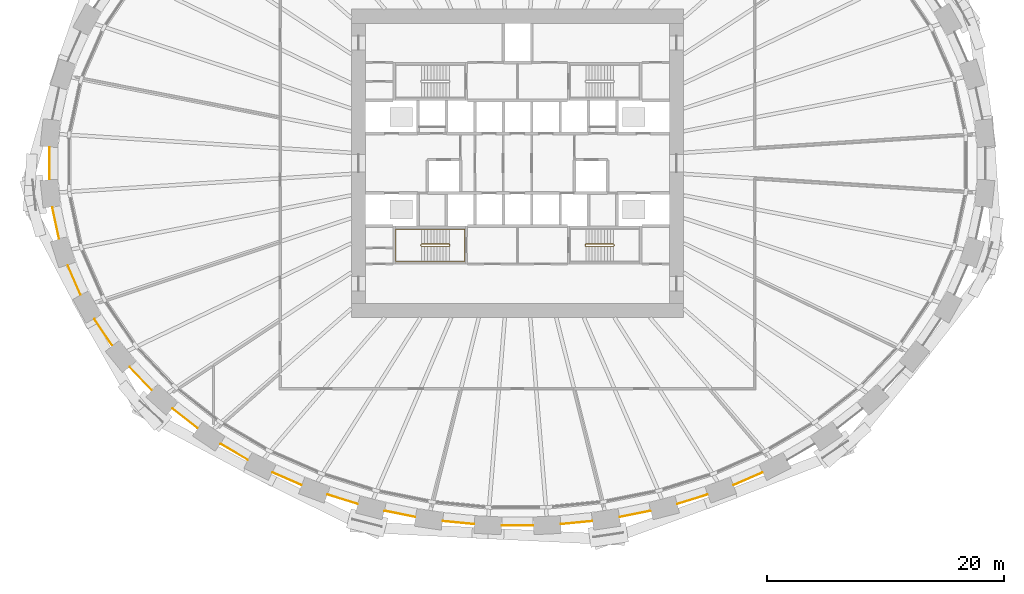
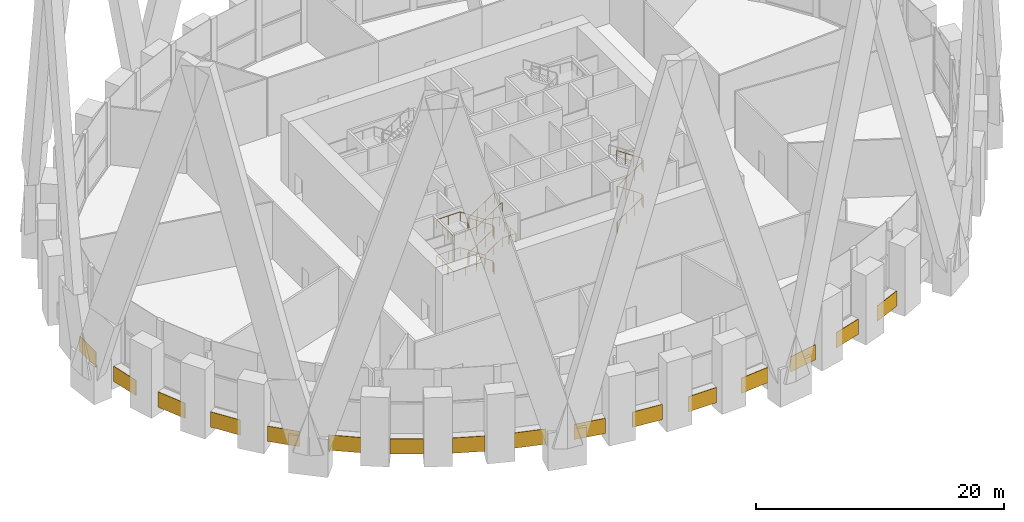
# One storey, part 14 of 17: 16 coverings, 3 railings.
"""IFC4 building model written with IfcOpenShell, lengths in metres."""

from ifc_helpers import new_model, si_unit, direction, frame, origin, origin_2d, place, context, subcontext, project, spatial, rectangle, circle, extrude, source, transform, mapped, material, layer, layer_set, type_object, element, save


model = new_model("IFC4")

# Units and contexts
model_context = context("Model", 3, precision=1e-05, world=origin(), true_north=direction((0.0, 1.0)))
body_context = subcontext(model_context, "Body", "Model", "MODEL_VIEW")
ifc_project = project(units=[si_unit("LENGTHUNIT", "METRE"), si_unit("AREAUNIT", "SQUARE_METRE"), si_unit("VOLUMEUNIT", "CUBIC_METRE"), si_unit("PLANEANGLEUNIT", "RADIAN"), si_unit("MASSUNIT", "GRAM", prefix="KILO")], contexts=[model_context])

# Site, building, storey
site_placement = place(None, origin())
site = spatial("IfcSite", under=ifc_project, at=site_placement, CompositionType="ELEMENT")
building_placement = place(site_placement, origin())
building = spatial("IfcBuilding", under=site, at=building_placement, Name="Embergate Tower", CompositionType="ELEMENT")
storey_placement = place(building_placement, frame((0.0, 0.0, 125.0)))
storey = spatial("IfcBuildingStorey", under=building, at=storey_placement, Name="L27", CompositionType="ELEMENT", Elevation=125.0)

# Coverings
ifc_material_1 = material(Name="Terracotta rainscreen on insulated backing", Category="masonry")
ifc_layer = layer(ifc_material_1, 0.0400390625)
ifc_layer_set = layer_set([ifc_layer], Name="Terracotta rainscreen on insulated backing")
covering_type = type_object("IfcCoveringType", Name="Terracotta rainscreen band", PredefinedType="CLADDING", material=ifc_layer_set)
shared_shape_1 = source(origin(), body_context, "Body", "SweptSolid", [
    extrude(rectangle(XDim=2.6923828125, YDim=0.0400390625, at=origin_2d()), origin(), (0.0, 0.0, 1.0), 1.5),
])
covering_1_placement = place(storey_placement, frame((-38.921142578125, -5.02783203125, -0.75), z_axis=(0.0, 0.0, 1.0), x_axis=(0.21059460699, -0.977573481385, 0.0)))
element("IfcCovering", 1, at=covering_1_placement, inside=storey, type_object=covering_type, Name="Rainscreen band 23", PredefinedType="CLADDING", context=body_context, shape_type="MappedRepresentation", body=[
    mapped(shared_shape_1, transform((0.0, 0.0, 0.0))),
])
shared_shape_2 = source(origin(), body_context, "Body", "SweptSolid", [
    extrude(rectangle(XDim=2.689453125, YDim=0.0400390625, at=origin_2d()), origin(), (0.0, 0.0, 1.0), 1.5),
])
covering_2_placement = place(storey_placement, frame((-37.367919921875, -9.833984375, -0.75), z_axis=(0.0, 0.0, 1.0), x_axis=(0.401580173757, -0.915823871738, 0.0)))
element("IfcCovering", 2, at=covering_2_placement, inside=storey, type_object=covering_type, Name="Rainscreen band 24", PredefinedType="CLADDING", context=body_context, shape_type="MappedRepresentation", body=[
    mapped(shared_shape_2, transform((0.0, 0.0, 0.0))),
])
shared_shape_3 = source(origin(), body_context, "Body", "SweptSolid", [
    extrude(rectangle(XDim=2.678466796875, YDim=0.0400390625, at=origin_2d()), origin(), (0.0, 0.0, 1.0), 1.5),
])
covering_3_placement = place(storey_placement, frame((-34.910888671875, -14.234619140625, -0.75), z_axis=(0.0, 0.0, 1.0), x_axis=(0.562259475515, -0.826960871017, 0.0)))
element("IfcCovering", 3, at=covering_3_placement, inside=storey, type_object=covering_type, Name="Rainscreen band 25", PredefinedType="CLADDING", context=body_context, shape_type="MappedRepresentation", body=[
    mapped(shared_shape_3, transform((0.0, 0.0, 0.0))),
])
shared_shape_4 = source(origin(), body_context, "Body", "SweptSolid", [
    extrude(rectangle(XDim=2.673583984375, YDim=0.0400390625, at=origin_2d()), origin(), (0.0, 0.0, 1.0), 1.5),
])
covering_4_placement = place(storey_placement, frame((-31.751220703125, -18.145751953125, -0.75), z_axis=(0.0, 0.0, 1.0), x_axis=(0.690075681341, -0.723737213374, 0.0)))
element("IfcCovering", 4, at=covering_4_placement, inside=storey, type_object=covering_type, Name="Rainscreen band 26", PredefinedType="CLADDING", context=body_context, shape_type="MappedRepresentation", body=[
    mapped(shared_shape_4, transform((0.0, 0.0, 0.0))),
])
shared_shape_5 = source(origin(), body_context, "Body", "SweptSolid", [
    extrude(rectangle(XDim=2.666015625, YDim=0.0400390625, at=origin_2d()), origin(), (0.0, 0.0, 1.0), 1.5),
])
covering_5_placement = place(storey_placement, frame((-28.020263671875, -21.4990234375, -0.75), z_axis=(0.0, 0.0, 1.0), x_axis=(0.788097782822, -0.615550066778, 0.0)))
element("IfcCovering", 5, at=covering_5_placement, inside=storey, type_object=covering_type, Name="Rainscreen band 27", PredefinedType="CLADDING", context=body_context, shape_type="MappedRepresentation", body=[
    mapped(shared_shape_5, transform((0.0, 0.0, 0.0))),
])
shared_shape_6 = source(origin(), body_context, "Body", "SweptSolid", [
    extrude(rectangle(XDim=2.6611328125, YDim=0.0400390625, at=origin_2d()), origin(), (0.0, 0.0, 1.0), 1.5),
])
covering_6_placement = place(storey_placement, frame((-23.880615234375, -24.314453125, -0.75), z_axis=(0.0, 0.0, 1.0), x_axis=(0.862001858681, -0.506905115017, 0.0)))
element("IfcCovering", 6, at=covering_6_placement, inside=storey, type_object=covering_type, Name="Rainscreen band 28", PredefinedType="CLADDING", context=body_context, shape_type="MappedRepresentation", body=[
    mapped(shared_shape_6, transform((0.0, 0.0, 0.0))),
])
shared_shape_7 = source(origin(), body_context, "Body", "SweptSolid", [
    extrude(rectangle(XDim=2.658203125, YDim=0.0400390625, at=origin_2d()), origin(), (0.0, 0.0, 1.0), 1.5),
])
for number, where, z_axis, x_axis, name in (
    (7, (-19.427001953125, -26.587158203125, -0.75), (0.0, 0.0, 1.0), (0.916399060314, -0.400265864465, 0.0), "Rainscreen band 29"),
    (8, (19.427001953125, -26.587158203125, -0.75), (0.0, 0.0, 1.0), (0.916399060314, 0.400265864465, 0.0), "Rainscreen band 37"),
):
    element("IfcCovering", number, at=place(storey_placement, frame(where, z_axis=z_axis, x_axis=x_axis)), inside=storey, type_object=covering_type, Name=name, PredefinedType="CLADDING", context=body_context, shape_type="MappedRepresentation", body=[
        mapped(shared_shape_7, transform((0.0, 0.0, 0.0))),
    ])
shared_shape_8 = source(origin(), body_context, "Body", "SweptSolid", [
    extrude(rectangle(XDim=2.654296875, YDim=0.0400390625, at=origin_2d()), origin(), (0.0, 0.0, 1.0), 1.5),
])
for number, where, z_axis, x_axis, name in (
    (9, (-14.7421875, -28.313232421875, -0.75), (0.0, 0.0, 1.0), (0.954680836388, -0.297631484614, 0.0), "Rainscreen band 30"),
    (10, (14.7421875, -28.313232421875, -0.75), (0.0, 0.0, 1.0), (0.954680836388, 0.297631484614, 0.0), "Rainscreen band 36"),
):
    element("IfcCovering", number, at=place(storey_placement, frame(where, z_axis=z_axis, x_axis=x_axis)), inside=storey, type_object=covering_type, Name=name, PredefinedType="CLADDING", context=body_context, shape_type="MappedRepresentation", body=[
        mapped(shared_shape_8, transform((0.0, 0.0, 0.0))),
    ])
shared_shape_9 = source(origin(), body_context, "Body", "SweptSolid", [
    extrude(rectangle(XDim=2.65185546875, YDim=0.0400390625, at=origin_2d()), origin(), (0.0, 0.0, 1.0), 1.5),
])
for number, where, z_axis, x_axis, name in (
    (11, (-9.90869140625, -29.546875, -0.75), (0.0, 0.0, 1.0), (0.980435388988, -0.196841174605, 0.0), "Rainscreen band 31"),
    (12, (9.90869140625, -29.546875, -0.75), (0.0, 0.0, 1.0), (0.980435388988, 0.196841174605, 0.0), "Rainscreen band 35"),
):
    element("IfcCovering", number, at=place(storey_placement, frame(where, z_axis=z_axis, x_axis=x_axis)), inside=storey, type_object=covering_type, Name=name, PredefinedType="CLADDING", context=body_context, shape_type="MappedRepresentation", body=[
        mapped(shared_shape_9, transform((0.0, 0.0, 0.0))),
    ])
shared_shape_10 = source(origin(), body_context, "Body", "SweptSolid", [
    extrude(rectangle(XDim=2.651611328125, YDim=0.0400390625, at=origin_2d()), origin(), (0.0, 0.0, 1.0), 1.5),
])
for number, where, z_axis, x_axis, name in (
    (13, (-4.9775390625, -30.28173828125, -0.75), (0.0, 0.0, 1.0), (0.99521853954, -0.097673223331, 0.0), "Rainscreen band 32"),
    (14, (4.9775390625, -30.28173828125, -0.75), (0.0, 0.0, 1.0), (0.99521853954, 0.097673223331, 0.0), "Rainscreen band 34"),
):
    element("IfcCovering", number, at=place(storey_placement, frame(where, z_axis=z_axis, x_axis=x_axis)), inside=storey, type_object=covering_type, Name=name, PredefinedType="CLADDING", context=body_context, shape_type="MappedRepresentation", body=[
        mapped(shared_shape_10, transform((0.0, 0.0, 0.0))),
    ])
shared_shape_11 = source(origin(), body_context, "Body", "SweptSolid", [
    extrude(rectangle(XDim=2.64990234375, YDim=0.0400390625, at=origin_2d()), origin(), (0.0, 0.0, 1.0), 1.5),
])
covering_7_placement = place(storey_placement, frame((0.0, -30.52587890625, -0.75), z_axis=(0.0, 0.0, 1.0), x_axis=(1.0, 0.0, 0.0)))
element("IfcCovering", 15, at=covering_7_placement, inside=storey, type_object=covering_type, Name="Rainscreen band 33", PredefinedType="CLADDING", context=body_context, shape_type="MappedRepresentation", body=[
    mapped(shared_shape_11, transform((0.0, 0.0, 0.0))),
])
shared_shape_12 = source(origin(), body_context, "Body", "SweptSolid", [
    extrude(rectangle(XDim=2.694091796875, YDim=0.0400390625, at=origin_2d()), origin(), (0.0, 0.0, 1.0), 1.5),
])
covering_8_placement = place(storey_placement, frame((-39.4560546875, 0.0, -0.75), z_axis=(0.0, 0.0, 1.0), x_axis=(0.0, -1.0, 0.0)))
element("IfcCovering", 16, at=covering_8_placement, inside=storey, type_object=covering_type, Name="Rainscreen band 22", PredefinedType="CLADDING", context=body_context, shape_type="MappedRepresentation", body=[
    mapped(shared_shape_12, transform((0.0, 0.0, 0.0))),
])

# Railings
ifc_material_2 = material(Name="Stair guard 1100")
railing_type_1 = type_object("IfcRailingType", Name="Stair guard 1100", PredefinedType="GUARDRAIL", material=ifc_material_2)
shared_shape_13 = source(origin(), body_context, "Body", "SweptSolid", [
    extrude(circle(Radius=0.02392578125, at=origin_2d()), frame((0.0, 0.0, 1.076171875), z_axis=(0.0, 1.0, 0.0), x_axis=(-1.0, 0.0, 0.0)), (0.0, 0.0, 1.0), 0.099853515625),
    extrude(circle(Radius=0.02392578125, at=origin_2d()), frame((0.0, 0.099853515625, 1.076171875), z_axis=(-0.265065253269, 0.265065253269, 0.927081885822), x_axis=(-0.707106781187, -0.707106781187, 0.0)), (0.0, 0.0, 1.0), 0.188720703125),
    extrude(circle(Radius=0.02392578125, at=origin_2d()), frame((-0.050048828125, 0.14990234375, 1.2509765625), z_axis=(-0.829605480656, 0.0, 0.558350021462), x_axis=(0.0, -1.0, 0.0)), (0.0, 0.0, 1.0), 2.82080078125),
    extrude(circle(Radius=0.02392578125, at=origin_2d()), frame((-2.39013671875, 0.14990234375, 2.826171875), z_axis=(-0.705375805398, -0.708833529934, 0.0), x_axis=(0.708833529934, -0.705375805398, 0.0)), (0.0, 0.0, 1.0), 0.070556640625),
    extrude(circle(Radius=0.02392578125, at=origin_2d()), frame((-2.43994140625, 0.099853515625, 2.826171875), z_axis=(0.0, -1.0, 0.0), x_axis=(1.0, 0.0, 0.0)), (0.0, 0.0, 1.0), 0.099853515625),
    extrude(circle(Radius=0.02392578125, at=origin_2d()), frame((-2.43994140625, 0.0, 2.826171875), z_axis=(0.263862480399, -0.265155923931, 0.927399011991), x_axis=(0.708833529934, 0.705375805398, 0.0)), (0.0, 0.0, 1.0), 0.188720703125),
    extrude(circle(Radius=0.02392578125, at=origin_2d()), frame((-2.39013671875, -0.050048828125, 3.0009765625), z_axis=(0.829605480656, 0.0, 0.558350021462), x_axis=(0.0, 1.0, 0.0)), (0.0, 0.0, 1.0), 2.82080078125),
    extrude(circle(Radius=0.02392578125, at=origin_2d()), frame((-0.050048828125, -0.050048828125, 4.576171875), z_axis=(0.707106781187, 0.707106781187, 0.0), x_axis=(-0.707106781187, 0.707106781187, 0.0)), (0.0, 0.0, 1.0), 0.07080078125),
    extrude(circle(Radius=0.02392578125, at=origin_2d()), frame((0.0, 0.0, 4.576171875), z_axis=(0.0, 1.0, 0.0), x_axis=(-1.0, 0.0, 0.0)), (0.0, 0.0, 1.0), 0.099853515625),
    extrude(circle(Radius=0.02392578125, at=origin_2d()), frame((0.0, 0.099853515625, 4.576171875), z_axis=(-0.265065253269, 0.265065253269, 0.927081885822), x_axis=(-0.707106781187, -0.707106781187, 0.0)), (0.0, 0.0, 1.0), 0.188720703125),
    extrude(circle(Radius=0.02392578125, at=origin_2d()), frame((-0.050048828125, 0.14990234375, 4.7509765625), z_axis=(-0.829605480656, 0.0, 0.558350021462), x_axis=(0.0, -1.0, 0.0)), (0.0, 0.0, 1.0), 2.82080078125),
    extrude(circle(Radius=0.02392578125, at=origin_2d()), frame((-2.39013671875, 0.14990234375, 6.326171875), z_axis=(-0.705375805398, -0.708833529934, 0.0), x_axis=(0.708833529934, -0.705375805398, 0.0)), (0.0, 0.0, 1.0), 0.070556640625),
    extrude(circle(Radius=0.02392578125, at=origin_2d()), frame((-2.43994140625, 0.099853515625, 6.326171875), z_axis=(0.0, -1.0, 0.0), x_axis=(1.0, 0.0, 0.0)), (0.0, 0.0, 1.0), 0.099853515625),
    extrude(circle(Radius=0.02392578125, at=origin_2d()), frame((-2.43994140625, 0.0, 6.326171875), z_axis=(0.263862480399, -0.265155923931, 0.927399011991), x_axis=(0.708833529934, 0.705375805398, 0.0)), (0.0, 0.0, 1.0), 0.188720703125),
    extrude(circle(Radius=0.02392578125, at=origin_2d()), frame((-2.39013671875, -0.050048828125, 6.5009765625), z_axis=(0.829605480656, 0.0, 0.558350021462), x_axis=(0.0, 1.0, 0.0)), (0.0, 0.0, 1.0), 2.82080078125),
    extrude(circle(Radius=0.02099609375, at=origin_2d()), origin(), (0.0, 0.0, 1.0), 1.052001953125),
    extrude(circle(Radius=0.02099609375, at=origin_2d()), frame((0.0, 0.099853515625, 0.0)), (0.0, 0.0, 1.0), 1.052001953125),
    extrude(circle(Radius=0.02099609375, at=origin_2d()), frame((-0.050048828125, 0.14990234375, 0.175048828125)), (0.0, 0.0, 1.0), 1.052001953125),
    extrude(circle(Radius=0.02099609375, at=origin_2d()), frame((-0.830078125, 0.14990234375, 0.699951171875)), (0.0, 0.0, 1.0), 1.052001953125),
    extrude(circle(Radius=0.02099609375, at=origin_2d()), frame((-1.610107421875, 0.14990234375, 1.22509765625)), (0.0, 0.0, 1.0), 1.052001953125),
    extrude(circle(Radius=0.02099609375, at=origin_2d()), frame((-2.39013671875, 0.14990234375, 1.75)), (0.0, 0.0, 1.0), 1.052001953125),
    extrude(circle(Radius=0.02099609375, at=origin_2d()), frame((-2.43994140625, 0.099853515625, 1.75)), (0.0, 0.0, 1.0), 1.052001953125),
    extrude(circle(Radius=0.02099609375, at=origin_2d()), frame((-2.43994140625, 0.0, 1.75)), (0.0, 0.0, 1.0), 1.052001953125),
    extrude(circle(Radius=0.02099609375, at=origin_2d()), frame((-2.39013671875, -0.050048828125, 1.925048828125)), (0.0, 0.0, 1.0), 1.052001953125),
    extrude(circle(Radius=0.02099609375, at=origin_2d()), frame((-1.610107421875, -0.050048828125, 2.449951171875)), (0.0, 0.0, 1.0), 1.052001953125),
    extrude(circle(Radius=0.02099609375, at=origin_2d()), frame((-0.830078125, -0.050048828125, 2.97509765625)), (0.0, 0.0, 1.0), 1.052001953125),
    extrude(circle(Radius=0.02099609375, at=origin_2d()), frame((-0.050048828125, -0.050048828125, 3.5)), (0.0, 0.0, 1.0), 1.052001953125),
    extrude(circle(Radius=0.02099609375, at=origin_2d()), frame((0.0, 0.0, 3.5)), (0.0, 0.0, 1.0), 1.052001953125),
    extrude(circle(Radius=0.02099609375, at=origin_2d()), frame((0.0, 0.099853515625, 3.5)), (0.0, 0.0, 1.0), 1.052001953125),
    extrude(circle(Radius=0.02099609375, at=origin_2d()), frame((-0.050048828125, 0.14990234375, 3.675048828125)), (0.0, 0.0, 1.0), 1.052001953125),
    extrude(circle(Radius=0.02099609375, at=origin_2d()), frame((-0.830078125, 0.14990234375, 4.199951171875)), (0.0, 0.0, 1.0), 1.052001953125),
    extrude(circle(Radius=0.02099609375, at=origin_2d()), frame((-1.610107421875, 0.14990234375, 4.72509765625)), (0.0, 0.0, 1.0), 1.052001953125),
    extrude(circle(Radius=0.02099609375, at=origin_2d()), frame((-2.39013671875, 0.14990234375, 5.25)), (0.0, 0.0, 1.0), 1.052001953125),
    extrude(circle(Radius=0.02099609375, at=origin_2d()), frame((-2.43994140625, 0.099853515625, 5.25)), (0.0, 0.0, 1.0), 1.052001953125),
    extrude(circle(Radius=0.02099609375, at=origin_2d()), frame((-2.43994140625, 0.0, 5.25)), (0.0, 0.0, 1.0), 1.052001953125),
    extrude(circle(Radius=0.02099609375, at=origin_2d()), frame((-2.39013671875, -0.050048828125, 5.425048828125)), (0.0, 0.0, 1.0), 1.052001953125),
    extrude(circle(Radius=0.02099609375, at=origin_2d()), frame((-1.610107421875, -0.050048828125, 5.949951171875)), (0.0, 0.0, 1.0), 1.052001953125),
    extrude(circle(Radius=0.02099609375, at=origin_2d()), frame((-0.830078125, -0.050048828125, 6.47509765625)), (0.0, 0.0, 1.0), 1.052001953125),
    extrude(circle(Radius=0.02099609375, at=origin_2d()), frame((-0.050048828125, -0.050048828125, 7.0)), (0.0, 0.0, 1.0), 1.052001953125),
])
railing_1_placement = place(storey_placement, frame((-5.699951171875, -6.949951171875, 0.0)))
element("IfcRailing", 17, at=railing_1_placement, inside=storey, type_object=railing_type_1, Name="L27 ST3 stair guard 1", PredefinedType="GUARDRAIL", context=body_context, shape_type="MappedRepresentation", body=[
    mapped(shared_shape_13, transform((0.0, 0.0, 0.0))),
])
ifc_material_3 = material(Name="Stair handrail 900")
railing_type_2 = type_object("IfcRailingType", Name="Stair handrail 900", PredefinedType="HANDRAIL", material=ifc_material_3)
shared_shape_14 = source(origin(), body_context, "Body", "SweptSolid", [
    extrude(circle(Radius=0.02392578125, at=origin_2d()), frame((0.0, 0.0, 0.8759765625), z_axis=(-0.829605480656, 0.0, 0.558350021462), x_axis=(0.0, -1.0, 0.0)), (0.0, 0.0, 1.0), 2.82080078125),
    extrude(circle(Radius=0.02392578125, at=origin_2d()), frame((-2.340087890625, 0.0, 2.45068359375), z_axis=(-1.0, 0.0, 0.0), x_axis=(0.0, -1.0, 0.0)), (0.0, 0.0, 1.0), 2.159912109375),
    extrude(circle(Radius=0.02392578125, at=origin_2d()), frame((-4.5, 0.0, 2.45068359375), z_axis=(0.0, -1.0, 0.0), x_axis=(1.0, 0.0, 0.0)), (0.0, 0.0, 1.0), 2.699951171875),
    extrude(circle(Radius=0.02392578125, at=origin_2d()), frame((-4.5, -2.699951171875, 2.45068359375), z_axis=(0.996731990761, 0.0, 0.080779567919), x_axis=(0.0, 1.0, 0.0)), (0.0, 0.0, 1.0), 2.1669921875),
    extrude(circle(Radius=0.02392578125, at=origin_2d()), frame((-2.340087890625, -2.699951171875, 2.6259765625), z_axis=(0.829605480656, 0.0, 0.558350021462), x_axis=(0.0, 1.0, 0.0)), (0.0, 0.0, 1.0), 2.82080078125),
    extrude(circle(Radius=0.02392578125, at=origin_2d()), frame((0.0, -2.699951171875, 4.20068359375), z_axis=(1.0, 0.0, 0.0), x_axis=(0.0, 1.0, 0.0)), (0.0, 0.0, 1.0), 1.300048828125),
    extrude(circle(Radius=0.02392578125, at=origin_2d()), frame((1.300048828125, -2.699951171875, 4.20068359375), z_axis=(0.0, 1.0, 0.0), x_axis=(-1.0, 0.0, 0.0)), (0.0, 0.0, 1.0), 2.699951171875),
    extrude(circle(Radius=0.02392578125, at=origin_2d()), frame((1.300048828125, 0.0, 4.20068359375), z_axis=(-0.991056402064, 0.0, 0.133443650757), x_axis=(0.0, -1.0, 0.0)), (0.0, 0.0, 1.0), 1.311767578125),
    extrude(circle(Radius=0.02392578125, at=origin_2d()), frame((0.0, 0.0, 4.3759765625), z_axis=(-0.829605480656, 0.0, 0.558350021462), x_axis=(0.0, -1.0, 0.0)), (0.0, 0.0, 1.0), 2.82080078125),
    extrude(circle(Radius=0.02392578125, at=origin_2d()), frame((-2.340087890625, 0.0, 5.95068359375), z_axis=(-1.0, 0.0, 0.0), x_axis=(0.0, -1.0, 0.0)), (0.0, 0.0, 1.0), 2.159912109375),
    extrude(circle(Radius=0.02392578125, at=origin_2d()), frame((-4.5, 0.0, 5.95068359375), z_axis=(0.0, -1.0, 0.0), x_axis=(1.0, 0.0, 0.0)), (0.0, 0.0, 1.0), 2.699951171875),
    extrude(circle(Radius=0.02392578125, at=origin_2d()), frame((-4.5, -2.699951171875, 5.95068359375), z_axis=(0.996731990761, 0.0, 0.080779567919), x_axis=(0.0, 1.0, 0.0)), (0.0, 0.0, 1.0), 2.1669921875),
    extrude(circle(Radius=0.02392578125, at=origin_2d()), frame((-2.340087890625, -2.699951171875, 6.1259765625), z_axis=(0.829605480656, 0.0, 0.558350021462), x_axis=(0.0, 1.0, 0.0)), (0.0, 0.0, 1.0), 2.82080078125),
    extrude(circle(Radius=0.02099609375, at=origin_2d()), origin(), (0.0, 0.0, 1.0), 0.851806640625),
    extrude(circle(Radius=0.02099609375, at=origin_2d()), frame((-0.780029296875, 0.0, 0.52490234375)), (0.0, 0.0, 1.0), 0.851806640625),
    extrude(circle(Radius=0.02099609375, at=origin_2d()), frame((-1.56005859375, 0.0, 1.050048828125)), (0.0, 0.0, 1.0), 0.851806640625),
    extrude(circle(Radius=0.02099609375, at=origin_2d()), frame((-2.340087890625, 0.0, 1.574951171875)), (0.0, 0.0, 1.0), 0.851806640625),
    extrude(circle(Radius=0.02099609375, at=origin_2d()), frame((-3.419921875, 0.0, 1.574951171875)), (0.0, 0.0, 1.0), 0.851806640625),
    extrude(circle(Radius=0.02099609375, at=origin_2d()), frame((-4.5, 0.0, 1.574951171875)), (0.0, 0.0, 1.0), 0.851806640625),
    extrude(circle(Radius=0.02099609375, at=origin_2d()), frame((-4.5, -0.89990234375, 1.574951171875)), (0.0, 0.0, 1.0), 0.851806640625),
    extrude(circle(Radius=0.02099609375, at=origin_2d()), frame((-4.5, -1.800048828125, 1.574951171875)), (0.0, 0.0, 1.0), 0.851806640625),
    extrude(circle(Radius=0.02099609375, at=origin_2d()), frame((-4.5, -2.699951171875, 1.574951171875)), (0.0, 0.0, 1.0), 0.851806640625),
    extrude(circle(Radius=0.02099609375, at=origin_2d()), frame((-3.419921875, -2.699951171875, 1.66259765625)), (0.0, 0.0, 1.0), 0.851806640625),
    extrude(circle(Radius=0.02099609375, at=origin_2d()), frame((-2.340087890625, -2.699951171875, 1.75)), (0.0, 0.0, 1.0), 0.851806640625),
    extrude(circle(Radius=0.02099609375, at=origin_2d()), frame((-1.56005859375, -2.699951171875, 2.27490234375)), (0.0, 0.0, 1.0), 0.851806640625),
    extrude(circle(Radius=0.02099609375, at=origin_2d()), frame((-0.780029296875, -2.699951171875, 2.800048828125)), (0.0, 0.0, 1.0), 0.851806640625),
    extrude(circle(Radius=0.02099609375, at=origin_2d()), frame((0.0, -2.699951171875, 3.324951171875)), (0.0, 0.0, 1.0), 0.851806640625),
    extrude(circle(Radius=0.02099609375, at=origin_2d()), frame((0.64990234375, -2.699951171875, 3.324951171875)), (0.0, 0.0, 1.0), 0.851806640625),
    extrude(circle(Radius=0.02099609375, at=origin_2d()), frame((1.300048828125, -2.699951171875, 3.324951171875)), (0.0, 0.0, 1.0), 0.851806640625),
    extrude(circle(Radius=0.02099609375, at=origin_2d()), frame((1.300048828125, -1.800048828125, 3.324951171875)), (0.0, 0.0, 1.0), 0.851806640625),
    extrude(circle(Radius=0.02099609375, at=origin_2d()), frame((1.300048828125, -0.89990234375, 3.324951171875)), (0.0, 0.0, 1.0), 0.851806640625),
    extrude(circle(Radius=0.02099609375, at=origin_2d()), frame((1.300048828125, 0.0, 3.324951171875)), (0.0, 0.0, 1.0), 0.851806640625),
    extrude(circle(Radius=0.02099609375, at=origin_2d()), frame((0.64990234375, 0.0, 3.41259765625)), (0.0, 0.0, 1.0), 0.851806640625),
    extrude(circle(Radius=0.02099609375, at=origin_2d()), frame((0.0, 0.0, 3.5)), (0.0, 0.0, 1.0), 0.851806640625),
    extrude(circle(Radius=0.02099609375, at=origin_2d()), frame((-0.780029296875, 0.0, 4.02490234375)), (0.0, 0.0, 1.0), 0.851806640625),
    extrude(circle(Radius=0.02099609375, at=origin_2d()), frame((-1.56005859375, 0.0, 4.550048828125)), (0.0, 0.0, 1.0), 0.851806640625),
    extrude(circle(Radius=0.02099609375, at=origin_2d()), frame((-2.340087890625, 0.0, 5.074951171875)), (0.0, 0.0, 1.0), 0.851806640625),
    extrude(circle(Radius=0.02099609375, at=origin_2d()), frame((-3.419921875, 0.0, 5.074951171875)), (0.0, 0.0, 1.0), 0.851806640625),
    extrude(circle(Radius=0.02099609375, at=origin_2d()), frame((-4.5, 0.0, 5.074951171875)), (0.0, 0.0, 1.0), 0.851806640625),
    extrude(circle(Radius=0.02099609375, at=origin_2d()), frame((-4.5, -0.89990234375, 5.074951171875)), (0.0, 0.0, 1.0), 0.851806640625),
    extrude(circle(Radius=0.02099609375, at=origin_2d()), frame((-4.5, -1.800048828125, 5.074951171875)), (0.0, 0.0, 1.0), 0.851806640625),
    extrude(circle(Radius=0.02099609375, at=origin_2d()), frame((-4.5, -2.699951171875, 5.074951171875)), (0.0, 0.0, 1.0), 0.851806640625),
    extrude(circle(Radius=0.02099609375, at=origin_2d()), frame((-3.419921875, -2.699951171875, 5.16259765625)), (0.0, 0.0, 1.0), 0.851806640625),
    extrude(circle(Radius=0.02099609375, at=origin_2d()), frame((-2.340087890625, -2.699951171875, 5.25)), (0.0, 0.0, 1.0), 0.851806640625),
    extrude(circle(Radius=0.02099609375, at=origin_2d()), frame((-1.56005859375, -2.699951171875, 5.77490234375)), (0.0, 0.0, 1.0), 0.851806640625),
    extrude(circle(Radius=0.02099609375, at=origin_2d()), frame((-0.780029296875, -2.699951171875, 6.300048828125)), (0.0, 0.0, 1.0), 0.851806640625),
    extrude(circle(Radius=0.02099609375, at=origin_2d()), frame((0.0, -2.699951171875, 6.824951171875)), (0.0, 0.0, 1.0), 0.851806640625),
])
railing_2_placement = place(storey_placement, frame((-5.75, -5.550048828125, 0.175048828125)))
element("IfcRailing", 18, at=railing_2_placement, inside=storey, type_object=railing_type_2, Name="L27 ST3 stair handrail 1", PredefinedType="HANDRAIL", context=body_context, shape_type="MappedRepresentation", body=[
    mapped(shared_shape_14, transform((0.0, 0.0, 0.0))),
])
shared_shape_15 = source(origin(), body_context, "Body", "SweptSolid", [
    extrude(circle(Radius=0.02392578125, at=origin_2d()), frame((0.0, 0.0, 1.076171875), z_axis=(0.0, -1.0, 0.0), x_axis=(1.0, 0.0, 0.0)), (0.0, 0.0, 1.0), 0.099853515625),
    extrude(circle(Radius=0.02392578125, at=origin_2d()), frame((0.0, -0.099853515625, 1.076171875), z_axis=(0.265065253269, -0.265065253269, 0.927081885822), x_axis=(0.707106781187, 0.707106781187, 0.0)), (0.0, 0.0, 1.0), 0.188720703125),
    extrude(circle(Radius=0.02392578125, at=origin_2d()), frame((0.050048828125, -0.14990234375, 1.2509765625), z_axis=(0.829605480656, 0.0, 0.558350021462), x_axis=(0.0, 1.0, 0.0)), (0.0, 0.0, 1.0), 2.82080078125),
    extrude(circle(Radius=0.02392578125, at=origin_2d()), frame((2.39013671875, -0.14990234375, 2.826171875), z_axis=(0.705375805398, 0.708833529934, 0.0), x_axis=(-0.708833529934, 0.705375805398, 0.0)), (0.0, 0.0, 1.0), 0.070556640625),
    extrude(circle(Radius=0.02392578125, at=origin_2d()), frame((2.43994140625, -0.099853515625, 2.826171875), z_axis=(0.0, 1.0, 0.0), x_axis=(-1.0, 0.0, 0.0)), (0.0, 0.0, 1.0), 0.099853515625),
    extrude(circle(Radius=0.02392578125, at=origin_2d()), frame((2.43994140625, 0.0, 2.826171875), z_axis=(-0.263862480399, 0.265155923931, 0.927399011991), x_axis=(-0.708833529934, -0.705375805398, 0.0)), (0.0, 0.0, 1.0), 0.188720703125),
    extrude(circle(Radius=0.02392578125, at=origin_2d()), frame((2.39013671875, 0.050048828125, 3.0009765625), z_axis=(-0.829605480656, 0.0, 0.558350021462), x_axis=(0.0, -1.0, 0.0)), (0.0, 0.0, 1.0), 2.82080078125),
    extrude(circle(Radius=0.02392578125, at=origin_2d()), frame((0.050048828125, 0.050048828125, 4.576171875), z_axis=(-0.707106781187, -0.707106781187, 0.0), x_axis=(0.707106781187, -0.707106781187, 0.0)), (0.0, 0.0, 1.0), 0.07080078125),
    extrude(circle(Radius=0.02392578125, at=origin_2d()), frame((0.0, 0.0, 4.576171875), z_axis=(0.0, -1.0, 0.0), x_axis=(1.0, 0.0, 0.0)), (0.0, 0.0, 1.0), 0.099853515625),
    extrude(circle(Radius=0.02392578125, at=origin_2d()), frame((0.0, -0.099853515625, 4.576171875), z_axis=(0.265065253269, -0.265065253269, 0.927081885822), x_axis=(0.707106781187, 0.707106781187, 0.0)), (0.0, 0.0, 1.0), 0.188720703125),
    extrude(circle(Radius=0.02392578125, at=origin_2d()), frame((0.050048828125, -0.14990234375, 4.7509765625), z_axis=(0.829605480656, 0.0, 0.558350021462), x_axis=(0.0, 1.0, 0.0)), (0.0, 0.0, 1.0), 2.82080078125),
    extrude(circle(Radius=0.02392578125, at=origin_2d()), frame((2.39013671875, -0.14990234375, 6.326171875), z_axis=(0.705375805398, 0.708833529934, 0.0), x_axis=(-0.708833529934, 0.705375805398, 0.0)), (0.0, 0.0, 1.0), 0.070556640625),
    extrude(circle(Radius=0.02392578125, at=origin_2d()), frame((2.43994140625, -0.099853515625, 6.326171875), z_axis=(0.0, 1.0, 0.0), x_axis=(-1.0, 0.0, 0.0)), (0.0, 0.0, 1.0), 0.099853515625),
    extrude(circle(Radius=0.02392578125, at=origin_2d()), frame((2.43994140625, 0.0, 6.326171875), z_axis=(-0.263862480399, 0.265155923931, 0.927399011991), x_axis=(-0.708833529934, -0.705375805398, 0.0)), (0.0, 0.0, 1.0), 0.188720703125),
    extrude(circle(Radius=0.02392578125, at=origin_2d()), frame((2.39013671875, 0.050048828125, 6.5009765625), z_axis=(-0.829605480656, 0.0, 0.558350021462), x_axis=(0.0, -1.0, 0.0)), (0.0, 0.0, 1.0), 2.82080078125),
    extrude(circle(Radius=0.02099609375, at=origin_2d()), origin(), (0.0, 0.0, 1.0), 1.052001953125),
    extrude(circle(Radius=0.02099609375, at=origin_2d()), frame((0.0, -0.099853515625, 0.0)), (0.0, 0.0, 1.0), 1.052001953125),
    extrude(circle(Radius=0.02099609375, at=origin_2d()), frame((0.050048828125, -0.14990234375, 0.175048828125)), (0.0, 0.0, 1.0), 1.052001953125),
    extrude(circle(Radius=0.02099609375, at=origin_2d()), frame((0.830078125, -0.14990234375, 0.699951171875)), (0.0, 0.0, 1.0), 1.052001953125),
    extrude(circle(Radius=0.02099609375, at=origin_2d()), frame((1.610107421875, -0.14990234375, 1.22509765625)), (0.0, 0.0, 1.0), 1.052001953125),
    extrude(circle(Radius=0.02099609375, at=origin_2d()), frame((2.39013671875, -0.14990234375, 1.75)), (0.0, 0.0, 1.0), 1.052001953125),
    extrude(circle(Radius=0.02099609375, at=origin_2d()), frame((2.43994140625, -0.099853515625, 1.75)), (0.0, 0.0, 1.0), 1.052001953125),
    extrude(circle(Radius=0.02099609375, at=origin_2d()), frame((2.43994140625, 0.0, 1.75)), (0.0, 0.0, 1.0), 1.052001953125),
    extrude(circle(Radius=0.02099609375, at=origin_2d()), frame((2.39013671875, 0.050048828125, 1.925048828125)), (0.0, 0.0, 1.0), 1.052001953125),
    extrude(circle(Radius=0.02099609375, at=origin_2d()), frame((1.610107421875, 0.050048828125, 2.449951171875)), (0.0, 0.0, 1.0), 1.052001953125),
    extrude(circle(Radius=0.02099609375, at=origin_2d()), frame((0.830078125, 0.050048828125, 2.97509765625)), (0.0, 0.0, 1.0), 1.052001953125),
    extrude(circle(Radius=0.02099609375, at=origin_2d()), frame((0.050048828125, 0.050048828125, 3.5)), (0.0, 0.0, 1.0), 1.052001953125),
    extrude(circle(Radius=0.02099609375, at=origin_2d()), frame((0.0, 0.0, 3.5)), (0.0, 0.0, 1.0), 1.052001953125),
    extrude(circle(Radius=0.02099609375, at=origin_2d()), frame((0.0, -0.099853515625, 3.5)), (0.0, 0.0, 1.0), 1.052001953125),
    extrude(circle(Radius=0.02099609375, at=origin_2d()), frame((0.050048828125, -0.14990234375, 3.675048828125)), (0.0, 0.0, 1.0), 1.052001953125),
    extrude(circle(Radius=0.02099609375, at=origin_2d()), frame((0.830078125, -0.14990234375, 4.199951171875)), (0.0, 0.0, 1.0), 1.052001953125),
    extrude(circle(Radius=0.02099609375, at=origin_2d()), frame((1.610107421875, -0.14990234375, 4.72509765625)), (0.0, 0.0, 1.0), 1.052001953125),
    extrude(circle(Radius=0.02099609375, at=origin_2d()), frame((2.39013671875, -0.14990234375, 5.25)), (0.0, 0.0, 1.0), 1.052001953125),
    extrude(circle(Radius=0.02099609375, at=origin_2d()), frame((2.43994140625, -0.099853515625, 5.25)), (0.0, 0.0, 1.0), 1.052001953125),
    extrude(circle(Radius=0.02099609375, at=origin_2d()), frame((2.43994140625, 0.0, 5.25)), (0.0, 0.0, 1.0), 1.052001953125),
    extrude(circle(Radius=0.02099609375, at=origin_2d()), frame((2.39013671875, 0.050048828125, 5.425048828125)), (0.0, 0.0, 1.0), 1.052001953125),
    extrude(circle(Radius=0.02099609375, at=origin_2d()), frame((1.610107421875, 0.050048828125, 5.949951171875)), (0.0, 0.0, 1.0), 1.052001953125),
    extrude(circle(Radius=0.02099609375, at=origin_2d()), frame((0.830078125, 0.050048828125, 6.47509765625)), (0.0, 0.0, 1.0), 1.052001953125),
    extrude(circle(Radius=0.02099609375, at=origin_2d()), frame((0.050048828125, 0.050048828125, 7.0)), (0.0, 0.0, 1.0), 1.052001953125),
])
railing_3_placement = place(storey_placement, frame((5.699951171875, -6.85009765625, 0.0)))
element("IfcRailing", 19, at=railing_3_placement, inside=storey, type_object=railing_type_1, Name="L27 ST4 stair guard 1", PredefinedType="GUARDRAIL", context=body_context, shape_type="MappedRepresentation", body=[
    mapped(shared_shape_15, transform((0.0, 0.0, 0.0))),
])

save(model, "model.ifc")
